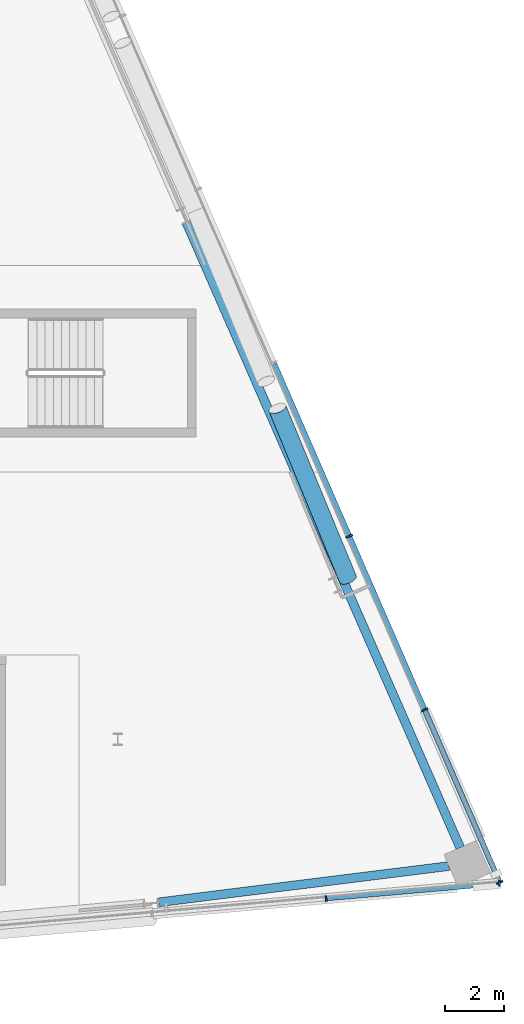
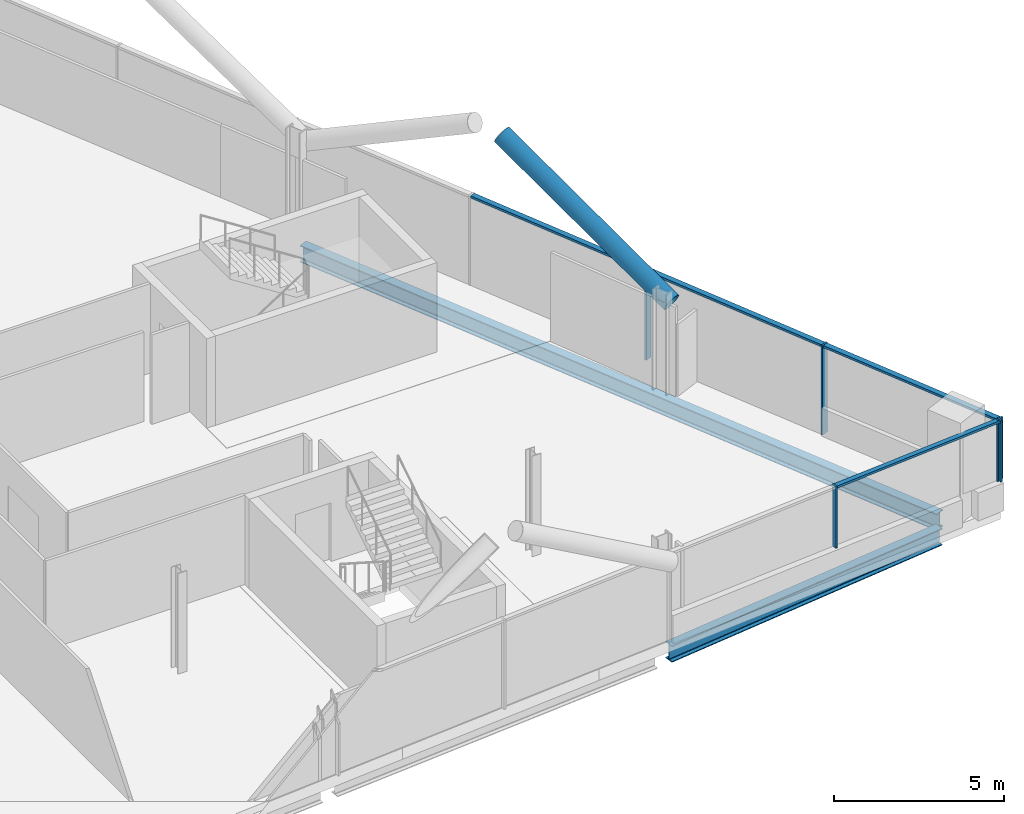
# One storey, part 12 of 25: 10 members, 2 beams, 2 elements without a shape of their own.
"""IFC4 building model written with IfcOpenShell, lengths in metres."""

from ifc_helpers import new_model, si_unit, direction, frame, origin, origin_2d, place, context, subcontext, project, spatial, rectangle, hollow_circle, i_section, extrude, material, material_profile, profile_set, type_object, element, aggregate, save


model = new_model("IFC4")

# Units and contexts
model_context = context("Model", 3, precision=1e-05, world=origin(), true_north=direction((0.0, 1.0)))
body_context = subcontext(model_context, "Body", "Model", "MODEL_VIEW")
ifc_project = project(units=[si_unit("LENGTHUNIT", "METRE"), si_unit("AREAUNIT", "SQUARE_METRE"), si_unit("VOLUMEUNIT", "CUBIC_METRE"), si_unit("PLANEANGLEUNIT", "RADIAN"), si_unit("MASSUNIT", "GRAM", prefix="KILO")], contexts=[model_context])

# Site, building, storey
site_placement = place(None, origin())
site = spatial("IfcSite", under=ifc_project, at=site_placement, CompositionType="ELEMENT")
building_placement = place(site_placement, origin())
building = spatial("IfcBuilding", under=site, at=building_placement, Name="Wharfspan Tower", CompositionType="ELEMENT")
storey_placement = place(building_placement, frame((0.0, 0.0, 239.5)))
storey = spatial("IfcBuildingStorey", under=building, at=storey_placement, Name="L60", CompositionType="ELEMENT", Elevation=239.5)

# Beams
ifc_material_1 = material(Name="Steel S355J2", Category="steel")
ifc_material_profile_1 = material_profile(ifc_material_1, i_section(OverallWidth=0.300049, OverallDepth=0.600098, WebThickness=0.015381, FlangeThickness=0.030029, FilletRadius=0.0271, at=origin_2d()))
ifc_profile_set_1 = profile_set([ifc_material_profile_1], Name="Steel S355J2")
beam_type = type_object("IfcBeamType", Name="Edge beam HEB 600", PredefinedType="SPANDREL", material=ifc_profile_set_1)
beam_1_placement = place(storey_placement, frame((73.391602, 5.955322, -0.699951), z_axis=(0.992301, 0.123848, 0.0), x_axis=(-0.123848, 0.992301, 0.0)))
element("IfcBeam", 1, at=beam_1_placement, inside=storey, type_object=beam_type, Name="Edge beam S2 L60 PS2.2 to MC4", PredefinedType="SPANDREL", context=body_context, shape_type="SweptSolid", body=[
    extrude(i_section(OverallWidth=0.300049, OverallDepth=0.600098, WebThickness=0.015381, FlangeThickness=0.030029, FilletRadius=0.0271, at=origin_2d()), origin(), (0.0, 0.0, 1.0), 9.951172),
])
beam_2_placement = place(storey_placement, frame((83.643799, 7.810547, -0.699951), z_axis=(-0.401141, 0.916016, 0.0), x_axis=(-0.916016, -0.401141, 0.0)))
element("IfcBeam", 2, at=beam_2_placement, inside=storey, type_object=beam_type, Name="Edge beam E L60 MC4 to PE.2", PredefinedType="SPANDREL", context=body_context, shape_type="SweptSolid", body=[
    extrude(i_section(OverallWidth=0.300049, OverallDepth=0.600098, WebThickness=0.015381, FlangeThickness=0.030029, FilletRadius=0.0271, at=origin_2d()), origin(), (0.0, 0.0, 1.0), 23.196045),
])

# Curtain wall, members
ifc_material_2 = material(Name="Aluminium 6063-T6", Category="aluminium")
curtain_wall_type_1 = type_object("IfcCurtainWallType", Name="CURTAIN WALL FACETED FRONT", PredefinedType="NOTDEFINED", material=ifc_material_2)
curtain_wall_1_placement = place(storey_placement, origin())
curtain_wall_1 = element("IfcCurtainWall", 3, at=curtain_wall_1_placement, inside=storey, type_object=curtain_wall_type_1, Name="Curtain wall S2", PredefinedType="NOTDEFINED")
ifc_material_profile_2 = material_profile(ifc_material_2, rectangle(XDim=0.199951, YDim=0.060059, at=origin_2d()))
ifc_profile_set_2 = profile_set([ifc_material_profile_2], Name="Aluminium 6063-T6")
member_type_1 = type_object("IfcMemberType", Name="MULLION FACETED FRONT 60x200", PredefinedType="MULLION", material=ifc_profile_set_2)
member_1_placement = place(storey_placement, frame((79.083252, 6.082275, 1.0), z_axis=(0.0, 0.0, 1.0), x_axis=(-0.087156, 0.996197, 0.0)))
member_1 = element("IfcMember", 4, at=member_1_placement, type_object=member_type_1, Name="Curtain wall S2 mullion 6", PredefinedType="MULLION", context=body_context, shape_type="SweptSolid", body=[
    extrude(rectangle(XDim=0.199951, YDim=0.060059, at=origin_2d()), origin(), (0.0, 0.0, 1.0), 2.199951),
])
member_2_placement = place(storey_placement, frame((84.970215, 6.597412, 1.0), z_axis=(0.0, 0.0, 1.0), x_axis=(-0.087156, 0.996197, 0.0)))
member_2 = element("IfcMember", 5, at=member_2_placement, type_object=member_type_1, Name="Curtain wall S2 mullion 7", PredefinedType="MULLION", context=body_context, shape_type="SweptSolid", body=[
    extrude(rectangle(XDim=0.199951, YDim=0.060059, at=origin_2d()), origin(), (0.0, 0.0, 1.0), 2.199951),
])

curtain_wall_type_2 = type_object("IfcCurtainWallType", Name="CURTAIN WALL PROW AND END", PredefinedType="NOTDEFINED", material=ifc_material_2)
curtain_wall_2_placement = place(storey_placement, origin())
curtain_wall_2 = element("IfcCurtainWall", 6, at=curtain_wall_2_placement, inside=storey, type_object=curtain_wall_type_2, Name="Curtain wall E", PredefinedType="NOTDEFINED")
ifc_material_profile_3 = material_profile(ifc_material_2, rectangle(XDim=0.23999, YDim=0.060059, at=origin_2d()))
ifc_profile_set_3 = profile_set([ifc_material_profile_3], Name="Aluminium 6063-T6")
member_type_2 = type_object("IfcMemberType", Name="MULLION PROW AND END 60x240", PredefinedType="MULLION", material=ifc_profile_set_3)
member_3_placement = place(storey_placement, frame((84.988037, 6.627441, 1.0), z_axis=(0.0, 0.0, 1.0), x_axis=(-0.917072, -0.398727, 0.0)))
member_3 = element("IfcMember", 7, at=member_3_placement, type_object=member_type_2, Name="Curtain wall E mullion 1", PredefinedType="MULLION", context=body_context, shape_type="SweptSolid", body=[
    extrude(rectangle(XDim=0.23999, YDim=0.060059, at=origin_2d()), origin(), (0.0, 0.0, 1.0), 2.199951),
])
member_4_placement = place(storey_placement, frame((82.434814, 12.5, 0.0), z_axis=(0.0, 0.0, 1.0), x_axis=(-0.917072, -0.398727, 0.0)))
member_4 = element("IfcMember", 8, at=member_4_placement, type_object=member_type_2, Name="Curtain wall E mullion 2", PredefinedType="MULLION", context=body_context, shape_type="SweptSolid", body=[
    extrude(rectangle(XDim=0.23999, YDim=0.060059, at=origin_2d()), origin(), (0.0, 0.0, 1.0), 3.199951),
])
member_5_placement = place(storey_placement, frame((79.869629, 18.399902, 0.0), z_axis=(0.0, 0.0, 1.0), x_axis=(-0.917072, -0.398727, 0.0)))
member_5 = element("IfcMember", 9, at=member_5_placement, type_object=member_type_2, Name="Curtain wall E mullion 3", PredefinedType="MULLION", context=body_context, shape_type="SweptSolid", body=[
    extrude(rectangle(XDim=0.23999, YDim=0.060059, at=origin_2d()), origin(), (0.0, 0.0, 1.0), 3.199951),
])

# Member
ifc_material_3 = material(Name="Steel S460NH", Category="steel")
ifc_material_profile_4 = material_profile(ifc_material_3, hollow_circle(Radius=0.304932, WallThickness=0.024902, at=origin_2d()))
ifc_profile_set_4 = profile_set([ifc_material_profile_4], Name="Steel S460NH")
member_type_3 = type_object("IfcMemberType", Name="Mega brace CHS 610x25", PredefinedType="BRACE", material=ifc_profile_set_4)
member_6_placement = place(storey_placement, frame((79.826904, 16.943115, 2.899902), z_axis=(-0.337042, 0.816355, 0.469007), x_axis=(-0.924324, -0.381616, -4e-06)))
element("IfcMember", 10, at=member_6_placement, inside=storey, type_object=member_type_3, Name="Mega brace E5 L61 part 1", PredefinedType="BRACE", context=body_context, shape_type="SweptSolid", body=[
    extrude(hollow_circle(Radius=0.304932, WallThickness=0.024902, at=origin_2d()), origin(), (0.0, 0.0, 1.0), 7.105957),
])

ifc_material_profile_5 = material_profile(ifc_material_2, rectangle(XDim=0.159912, YDim=0.080078, at=origin_2d()))
ifc_profile_set_5 = profile_set([ifc_material_profile_5], Name="Aluminium 6063-T6")
member_type_4 = type_object("IfcMemberType", Name="TRANSOM FACETED FRONT 80x160", PredefinedType="USERDEFINED", material=ifc_profile_set_5)
member_7_placement = place(storey_placement, frame((79.113281, 6.084961, 3.159912), z_axis=(0.996195, 0.087152, 0.0), x_axis=(-0.087152, 0.996195, 0.0)))
member_7 = element("IfcMember", 11, at=member_7_placement, type_object=member_type_4, Name="Curtain wall S2 transom 6", ObjectType="TRANSOM", PredefinedType="USERDEFINED", context=body_context, shape_type="SweptSolid", body=[
    extrude(rectangle(XDim=0.159912, YDim=0.080078, at=origin_2d()), origin(), (0.0, 0.0, 1.0), 5.849121),
])

aggregate(curtain_wall_1, [member_1, member_2, member_7])

ifc_material_profile_6 = material_profile(ifc_material_2, rectangle(XDim=0.179932, YDim=0.080078, at=origin_2d()))
ifc_profile_set_6 = profile_set([ifc_material_profile_6], Name="Aluminium 6063-T6")
member_type_5 = type_object("IfcMemberType", Name="TRANSOM PROW AND END 80x180", PredefinedType="USERDEFINED", material=ifc_profile_set_6)
member_8_placement = place(storey_placement, frame((84.976074, 6.655029, 3.159912), z_axis=(-0.398726, 0.91707, 0.0), x_axis=(-0.91707, -0.398726, 0.0)))
member_8 = element("IfcMember", 12, at=member_8_placement, type_object=member_type_5, Name="Curtain wall E transom 1", ObjectType="TRANSOM", PredefinedType="USERDEFINED", context=body_context, shape_type="SweptSolid", body=[
    extrude(rectangle(XDim=0.179932, YDim=0.080078, at=origin_2d()), origin(), (0.0, 0.0, 1.0), 6.343506),
])

member_9_placement = place(storey_placement, frame((82.422852, 12.527588, 3.159912), z_axis=(-0.398722, 0.917072, 0.0), x_axis=(-0.917072, -0.398722, 0.0)))
member_9 = element("IfcMember", 13, at=member_9_placement, type_object=member_type_5, Name="Curtain wall E transom 2", ObjectType="TRANSOM", PredefinedType="USERDEFINED", context=body_context, shape_type="SweptSolid", body=[
    extrude(rectangle(XDim=0.179932, YDim=0.080078, at=origin_2d()), origin(), (0.0, 0.0, 1.0), 6.373535),
])

member_10_placement = place(storey_placement, frame((79.857666, 18.42749, 3.159912), z_axis=(-0.398722, 0.917072, 0.0), x_axis=(-0.917072, -0.398722, 0.0)))
member_10 = element("IfcMember", 14, at=member_10_placement, type_object=member_type_5, Name="Curtain wall E transom 3", ObjectType="TRANSOM", PredefinedType="USERDEFINED", context=body_context, shape_type="SweptSolid", body=[
    extrude(rectangle(XDim=0.179932, YDim=0.080078, at=origin_2d()), origin(), (0.0, 0.0, 1.0), 6.373535),
])

aggregate(curtain_wall_2, [member_3, member_4, member_5, member_8, member_9, member_10])

save(model, "model.ifc")
